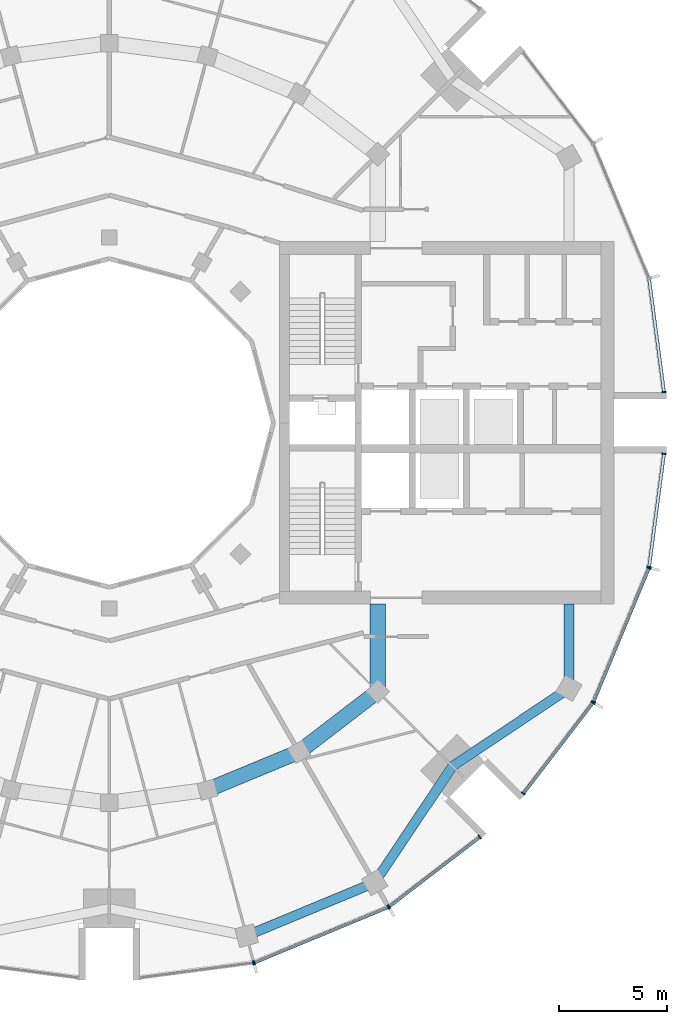
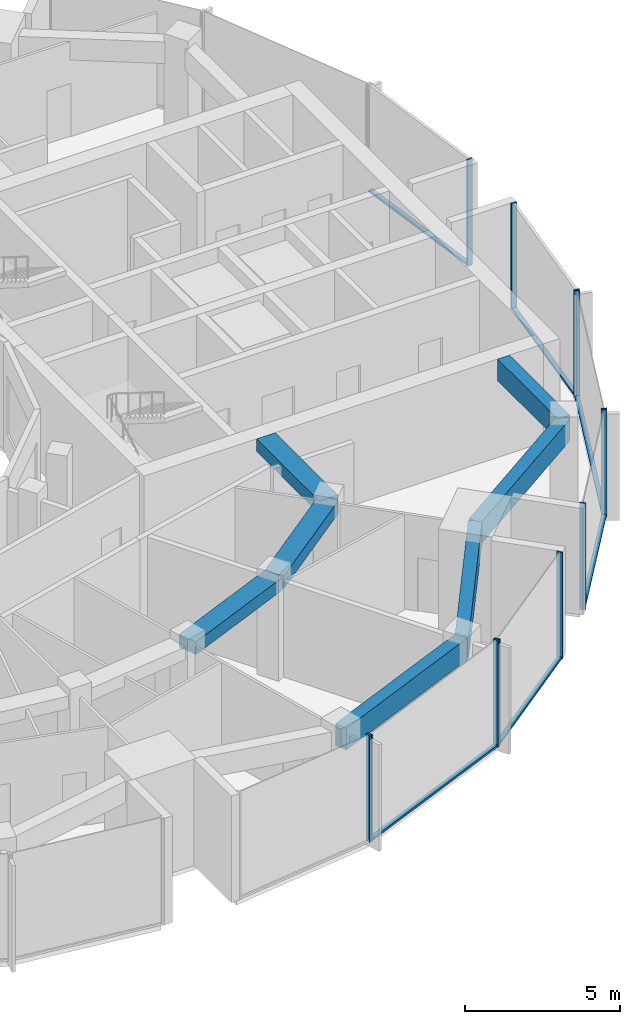
# One storey, part 4 of 15: 18 members, 7 beams, 7 elements without a shape of their own.
"""IFC4 building model written with IfcOpenShell, lengths in metres."""

from ifc_helpers import new_model, si_unit, direction, frame, origin, origin_2d, place, context, subcontext, project, spatial, rectangle, extrude, material, layer, layer_set, material_profile, profile_set, type_object, element, aggregate, save


model = new_model("IFC4")

# Units and contexts
model_context = context("Model", 3, precision=1e-05, world=origin(), true_north=direction((0.0, 1.0)))
body_context = subcontext(model_context, "Body", "Model", "MODEL_VIEW")
ifc_project = project(units=[si_unit("LENGTHUNIT", "METRE"), si_unit("AREAUNIT", "SQUARE_METRE"), si_unit("VOLUMEUNIT", "CUBIC_METRE"), si_unit("PLANEANGLEUNIT", "RADIAN"), si_unit("MASSUNIT", "GRAM", prefix="KILO")], contexts=[model_context])

# Site, building, storey
site_placement = place(None, origin())
site = spatial("IfcSite", under=ifc_project, at=site_placement, CompositionType="ELEMENT")
building_placement = place(site_placement, origin())
building = spatial("IfcBuilding", under=site, at=building_placement, Name="Torre Brocal", CompositionType="ELEMENT")
storey_placement = place(building_placement, frame((0.0, 0.0, 212.5)))
storey = spatial("IfcBuildingStorey", under=building, at=storey_placement, Name="L49", CompositionType="ELEMENT", Elevation=212.5)

# Curtain wall, member
ifc_material_1 = material(Name="Aluminium and glass", Category="aluminium")
ifc_layer_1 = layer(ifc_material_1, 0.199951171875)
ifc_layer_set_1 = layer_set([ifc_layer_1], Name="Aluminium and glass")
curtain_wall_type_1 = type_object("IfcCurtainWallType", Name="CW-1 CURTAIN WALL 4200 HIGH", PredefinedType="NOTDEFINED", material=ifc_layer_set_1)
curtain_wall_1_placement = place(storey_placement, origin())
curtain_wall_1 = element("IfcCurtainWall", 1, at=curtain_wall_1_placement, inside=storey, type_object=curtain_wall_type_1, Name="CW-1 RUN 19", PredefinedType="NOTDEFINED")
ifc_material_2 = material(Name="Aluminium, dark anodised", Category="aluminium")
ifc_material_profile_1 = material_profile(ifc_material_2, rectangle(XDim=0.199951171875, YDim=0.06005859375, at=origin_2d()), Name="CW-1 MULLION 60X200")
ifc_profile_set_1 = profile_set([ifc_material_profile_1], Name="Aluminium, dark anodised")
member_type_1 = type_object("IfcMemberType", Name="CW-1 MULLION 60X200", PredefinedType="MULLION", material=ifc_profile_set_1)
member_1_placement = place(storey_placement, frame((86.67333984375, 49.9794921875, 0.0), z_axis=(0.0, 0.0, 1.0), x_axis=(-0.13052619222, 0.991444861374, 0.0)))
member_1 = element("IfcMember", 2, at=member_1_placement, type_object=member_type_1, Name="CW1-5 mullion 2", PredefinedType="MULLION", context=body_context, shape_type="SweptSolid", body=[
    extrude(rectangle(XDim=0.199951171875, YDim=0.06005859375, at=origin_2d()), origin(), (0.0, 0.0, 1.0), 4.199951171875),
])
aggregate(curtain_wall_1, [member_1])

# Curtain wall, members
curtain_wall_2_placement = place(storey_placement, origin())
curtain_wall_2 = element("IfcCurtainWall", 3, at=curtain_wall_2_placement, inside=storey, type_object=curtain_wall_type_1, Name="CW-1 RUN 20", PredefinedType="NOTDEFINED")
member_2_placement = place(storey_placement, frame((86.73095703125, 49.994873046875, 0.0), z_axis=(0.0, 0.0, 1.0), x_axis=(-0.382683432333, 0.923879532525, 0.0)))
member_2 = element("IfcMember", 4, at=member_2_placement, type_object=member_type_1, Name="CW1-5 mullion 1", PredefinedType="MULLION", context=body_context, shape_type="SweptSolid", body=[
    extrude(rectangle(XDim=0.199951171875, YDim=0.06005859375, at=origin_2d()), origin(), (0.0, 0.0, 1.0), 4.199951171875),
])
member_3_placement = place(storey_placement, frame((92.921875, 52.559326171875, 0.0), z_axis=(0.0, 0.0, 1.0), x_axis=(-0.382683432333, 0.923879532525, 0.0)))
member_3 = element("IfcMember", 5, at=member_3_placement, type_object=member_type_1, Name="CW1-5 mullion 2", PredefinedType="MULLION", context=body_context, shape_type="SweptSolid", body=[
    extrude(rectangle(XDim=0.199951171875, YDim=0.06005859375, at=origin_2d()), origin(), (0.0, 0.0, 1.0), 4.199951171875),
])

curtain_wall_3_placement = place(storey_placement, origin())
curtain_wall_3 = element("IfcCurtainWall", 6, at=curtain_wall_3_placement, inside=storey, type_object=curtain_wall_type_1, Name="CW-1 RUN 21", PredefinedType="NOTDEFINED")
member_4_placement = place(storey_placement, frame((92.973388671875, 52.5888671875, 0.0), z_axis=(0.0, 0.0, 1.0), x_axis=(-0.60876142905, 0.793353340259, 0.0)))
member_4 = element("IfcMember", 7, at=member_4_placement, type_object=member_type_1, Name="CW1-5 mullion 1", PredefinedType="MULLION", context=body_context, shape_type="SweptSolid", body=[
    extrude(rectangle(XDim=0.199951171875, YDim=0.06005859375, at=origin_2d()), origin(), (0.0, 0.0, 1.0), 4.199951171875),
])
member_5_placement = place(storey_placement, frame((97.16943359375, 55.80859375, 0.0), z_axis=(0.0, 0.0, 1.0), x_axis=(-0.60876142905, 0.793353340259, 0.0)))
member_5 = element("IfcMember", 8, at=member_5_placement, type_object=member_type_1, Name="CW1-5 mullion 2", PredefinedType="MULLION", context=body_context, shape_type="SweptSolid", body=[
    extrude(rectangle(XDim=0.199951171875, YDim=0.06005859375, at=origin_2d()), origin(), (0.0, 0.0, 1.0), 4.199951171875),
])

curtain_wall_4_placement = place(storey_placement, origin())
curtain_wall_4 = element("IfcCurtainWall", 9, at=curtain_wall_4_placement, inside=storey, type_object=curtain_wall_type_1, Name="CW-1 RUN 22", PredefinedType="NOTDEFINED")
member_6_placement = place(storey_placement, frame((99.19140625, 57.83056640625, 0.0), z_axis=(0.0, 0.0, 1.0), x_axis=(-0.793353340259, 0.60876142905, 0.0)))
member_6 = element("IfcMember", 10, at=member_6_placement, type_object=member_type_1, Name="CW1-5 mullion 1", PredefinedType="MULLION", context=body_context, shape_type="SweptSolid", body=[
    extrude(rectangle(XDim=0.199951171875, YDim=0.06005859375, at=origin_2d()), origin(), (0.0, 0.0, 1.0), 4.199951171875),
])
member_7_placement = place(storey_placement, frame((102.4111328125, 62.026611328125, 0.0), z_axis=(0.0, 0.0, 1.0), x_axis=(-0.793353340259, 0.60876142905, 0.0)))
member_7 = element("IfcMember", 11, at=member_7_placement, type_object=member_type_1, Name="CW1-5 mullion 2", PredefinedType="MULLION", context=body_context, shape_type="SweptSolid", body=[
    extrude(rectangle(XDim=0.199951171875, YDim=0.06005859375, at=origin_2d()), origin(), (0.0, 0.0, 1.0), 4.199951171875),
])

curtain_wall_5_placement = place(storey_placement, origin())
curtain_wall_5 = element("IfcCurtainWall", 12, at=curtain_wall_5_placement, inside=storey, type_object=curtain_wall_type_1, Name="CW-1 RUN 23", PredefinedType="NOTDEFINED")
member_8_placement = place(storey_placement, frame((102.440673828125, 62.078125, 0.0), z_axis=(0.0, 0.0, 1.0), x_axis=(-0.923879532525, 0.382683432333, 0.0)))
member_8 = element("IfcMember", 13, at=member_8_placement, type_object=member_type_1, Name="CW1-5 mullion 1", PredefinedType="MULLION", context=body_context, shape_type="SweptSolid", body=[
    extrude(rectangle(XDim=0.199951171875, YDim=0.06005859375, at=origin_2d()), origin(), (0.0, 0.0, 1.0), 4.199951171875),
])
member_9_placement = place(storey_placement, frame((105.005126953125, 68.26904296875, 0.0), z_axis=(0.0, 0.0, 1.0), x_axis=(-0.923879532525, 0.382683432333, 0.0)))
member_9 = element("IfcMember", 14, at=member_9_placement, type_object=member_type_1, Name="CW1-5 mullion 2", PredefinedType="MULLION", context=body_context, shape_type="SweptSolid", body=[
    extrude(rectangle(XDim=0.199951171875, YDim=0.06005859375, at=origin_2d()), origin(), (0.0, 0.0, 1.0), 4.199951171875),
])

# Member
ifc_material_3 = material(Name="Aluminium, dark anodised", Category="aluminium")
ifc_material_profile_2 = material_profile(ifc_material_3, rectangle(XDim=0.159912109375, YDim=0.080078125, at=origin_2d()), Name="CW-1 TRANSOM 160X80")
ifc_profile_set_2 = profile_set([ifc_material_profile_2], Name="Aluminium, dark anodised")
member_type_2 = type_object("IfcMemberType", Name="CW-1 TRANSOM 160X80", PredefinedType="USERDEFINED", material=ifc_profile_set_2)
member_10_placement = place(storey_placement, frame((86.758544921875, 50.00634765625, 0.0400390625), z_axis=(0.923887344364, 0.38266457234, 0.0), x_axis=(-0.38266457234, 0.923887344364, 0.0)))
member_10 = element("IfcMember", 15, at=member_10_placement, type_object=member_type_2, Name="CW1-5 transom 1.1", ObjectType="TRANSOM", PredefinedType="USERDEFINED", context=body_context, shape_type="SweptSolid", body=[
    extrude(rectangle(XDim=0.159912109375, YDim=0.080078125, at=origin_2d()), origin(), (0.0, 0.0, 1.0), 6.640869140625),
])

aggregate(curtain_wall_2, [member_2, member_3, member_10])

member_11_placement = place(storey_placement, frame((92.9970703125, 52.607177734375, 0.0400390625), z_axis=(0.79336281513, 0.60874908096, 0.0), x_axis=(-0.60874908096, 0.79336281513, 0.0)))
member_11 = element("IfcMember", 16, at=member_11_placement, type_object=member_type_2, Name="CW1-5 transom 1.1", ObjectType="TRANSOM", PredefinedType="USERDEFINED", context=body_context, shape_type="SweptSolid", body=[
    extrude(rectangle(XDim=0.159912109375, YDim=0.080078125, at=origin_2d()), origin(), (0.0, 0.0, 1.0), 5.22900390625),
])

aggregate(curtain_wall_3, [member_4, member_5, member_11])

member_12_placement = place(storey_placement, frame((99.209716796875, 57.8544921875, 0.0400390625), z_axis=(0.60874908096, 0.79336281513, 0.0), x_axis=(-0.79336281513, 0.60874908096, 0.0)))
member_12 = element("IfcMember", 17, at=member_12_placement, type_object=member_type_2, Name="CW1-5 transom 1.1", ObjectType="TRANSOM", PredefinedType="USERDEFINED", context=body_context, shape_type="SweptSolid", body=[
    extrude(rectangle(XDim=0.159912109375, YDim=0.080078125, at=origin_2d()), origin(), (0.0, 0.0, 1.0), 5.22900390625),
])

aggregate(curtain_wall_4, [member_6, member_7, member_12])

member_13_placement = place(storey_placement, frame((102.452392578125, 62.10595703125, 0.0400390625), z_axis=(0.38266457234, 0.923887344364, 0.0), x_axis=(-0.923887344364, 0.38266457234, 0.0)))
member_13 = element("IfcMember", 18, at=member_13_placement, type_object=member_type_2, Name="CW1-5 transom 1.1", ObjectType="TRANSOM", PredefinedType="USERDEFINED", context=body_context, shape_type="SweptSolid", body=[
    extrude(rectangle(XDim=0.159912109375, YDim=0.080078125, at=origin_2d()), origin(), (0.0, 0.0, 1.0), 6.640869140625),
])

aggregate(curtain_wall_5, [member_8, member_9, member_13])

# Curtain wall, member
ifc_material_4 = material(Name="Aluminium and glass", Category="aluminium")
ifc_layer_2 = layer(ifc_material_4, 0.199951171875)
ifc_layer_set_2 = layer_set([ifc_layer_2], Name="Aluminium and glass")
curtain_wall_type_2 = type_object("IfcCurtainWallType", Name="CW-1B CURTAIN WALL 4200 HIGH", PredefinedType="NOTDEFINED", material=ifc_layer_set_2)
curtain_wall_6_placement = place(storey_placement, origin())
curtain_wall_6 = element("IfcCurtainWall", 19, at=curtain_wall_6_placement, inside=storey, type_object=curtain_wall_type_2, Name="CW-1B RUN 1", PredefinedType="NOTDEFINED")
ifc_material_5 = material(Name="Aluminium, dark anodised", Category="aluminium")
ifc_material_profile_3 = material_profile(ifc_material_5, rectangle(XDim=0.199951171875, YDim=0.06005859375, at=origin_2d()), Name="CW-1B MULLION 60X200")
ifc_profile_set_3 = profile_set([ifc_material_profile_3], Name="Aluminium, dark anodised")
member_type_3 = type_object("IfcMemberType", Name="CW-1B MULLION 60X200", PredefinedType="MULLION", material=ifc_profile_set_3)
member_14_placement = place(storey_placement, frame((105.7109375, 76.4296875, 0.0), z_axis=(0.0, 0.0, 1.0), x_axis=(-0.991444861374, -0.13052619222, 0.0)))
member_14 = element("IfcMember", 20, at=member_14_placement, type_object=member_type_3, Name="CW1B-5 mullion 1", PredefinedType="MULLION", context=body_context, shape_type="SweptSolid", body=[
    extrude(rectangle(XDim=0.199951171875, YDim=0.06005859375, at=origin_2d()), origin(), (0.0, 0.0, 1.0), 4.199951171875),
])

# Curtain wall, members
curtain_wall_7_placement = place(storey_placement, origin())
curtain_wall_7 = element("IfcCurtainWall", 21, at=curtain_wall_7_placement, inside=storey, type_object=curtain_wall_type_2, Name="CW-1B RUN 24", PredefinedType="NOTDEFINED")
member_15_placement = place(storey_placement, frame((105.0205078125, 68.32666015625, 0.0), z_axis=(0.0, 0.0, 1.0), x_axis=(-0.991444861374, 0.13052619222, 0.0)))
member_15 = element("IfcMember", 22, at=member_15_placement, type_object=member_type_3, Name="CW1B-5 mullion 1", PredefinedType="MULLION", context=body_context, shape_type="SweptSolid", body=[
    extrude(rectangle(XDim=0.199951171875, YDim=0.06005859375, at=origin_2d()), origin(), (0.0, 0.0, 1.0), 4.199951171875),
])
member_16_placement = place(storey_placement, frame((105.7109375, 73.5703125, 0.0), z_axis=(0.0, 0.0, 1.0), x_axis=(-0.991444861374, 0.13052619222, 0.0)))
member_16 = element("IfcMember", 23, at=member_16_placement, type_object=member_type_3, Name="CW1B-5 mullion 2", PredefinedType="MULLION", context=body_context, shape_type="SweptSolid", body=[
    extrude(rectangle(XDim=0.199951171875, YDim=0.06005859375, at=origin_2d()), origin(), (0.0, 0.0, 1.0), 4.199951171875),
])

# Member
ifc_material_6 = material(Name="Aluminium, dark anodised", Category="aluminium")
ifc_material_profile_4 = material_profile(ifc_material_6, rectangle(XDim=0.159912109375, YDim=0.080078125, at=origin_2d()), Name="CW-1B TRANSOM 160X80")
ifc_profile_set_4 = profile_set([ifc_material_profile_4], Name="Aluminium, dark anodised")
member_type_4 = type_object("IfcMemberType", Name="CW-1B TRANSOM 160X80", PredefinedType="USERDEFINED", material=ifc_profile_set_4)
member_17_placement = place(storey_placement, frame((105.70703125, 76.45947265625, 0.0400390625), z_axis=(-0.130542677827, 0.991442690863, 0.0), x_axis=(-0.991442690863, -0.130542677827, 0.0)))
member_17 = element("IfcMember", 24, at=member_17_placement, type_object=member_type_4, Name="CW1B-5 transom 1.1", ObjectType="TRANSOM", PredefinedType="USERDEFINED", context=body_context, shape_type="SweptSolid", body=[
    extrude(rectangle(XDim=0.159912109375, YDim=0.080078125, at=origin_2d()), origin(), (0.0, 0.0, 1.0), 5.22900390625),
])

aggregate(curtain_wall_6, [member_14, member_17])

member_18_placement = place(storey_placement, frame((105.0244140625, 68.356201171875, 0.0400390625), z_axis=(0.130542677827, 0.991442690863, 0.0), x_axis=(-0.991442690863, 0.130542677827, 0.0)))
member_18 = element("IfcMember", 25, at=member_18_placement, type_object=member_type_4, Name="CW1B-5 transom 1.1", ObjectType="TRANSOM", PredefinedType="USERDEFINED", context=body_context, shape_type="SweptSolid", body=[
    extrude(rectangle(XDim=0.159912109375, YDim=0.080078125, at=origin_2d()), origin(), (0.0, 0.0, 1.0), 5.22900390625),
])

aggregate(curtain_wall_7, [member_15, member_16, member_18])

# Beams
ifc_material_7 = material(Name="Concrete C50", Category="concrete")
ifc_material_profile_5 = material_profile(ifc_material_7, rectangle(XDim=0.699951171875, YDim=0.5, at=origin_2d()), Name="RC 700X500")
ifc_profile_set_5 = profile_set([ifc_material_profile_5], Name="Concrete C50")
beam_type_1 = type_object("IfcBeamType", Name="RC BEAM 700X500 C50 TOP 3880", PredefinedType="BEAM", material=ifc_profile_set_5)
beam_1_placement = place(storey_placement, frame((84.55517578125, 57.999755859375, 3.6298828125), z_axis=(0.923878240166, 0.382686552348, 0.0), x_axis=(-0.382686552348, 0.923878240166, 0.0)))
element("IfcBeam", 26, at=beam_1_placement, inside=storey, type_object=beam_type_1, Name="Beam BT-37", PredefinedType="BEAM", context=body_context, shape_type="SweptSolid", body=[
    extrude(rectangle(XDim=0.699951171875, YDim=0.5, at=origin_2d()), origin(), (0.0, 0.0, 1.0), 4.5947265625),
])
beam_2_placement = place(storey_placement, frame((88.800048828125, 59.758056640625, 3.6298828125), z_axis=(0.793358265959, 0.6087550097, 0.0), x_axis=(-0.6087550097, 0.793358265959, 0.0)))
element("IfcBeam", 27, at=beam_2_placement, inside=storey, type_object=beam_type_1, Name="Beam BT-37", PredefinedType="BEAM", context=body_context, shape_type="SweptSolid", body=[
    extrude(rectangle(XDim=0.699951171875, YDim=0.5, at=origin_2d()), origin(), (0.0, 0.0, 1.0), 4.594482421875),
])
beam_3_placement = place(storey_placement, frame((92.445068359375, 62.554931640625, 3.6298828125), z_axis=(0.0, 1.0, 0.0), x_axis=(-1.0, 0.0, 0.0)))
element("IfcBeam", 28, at=beam_3_placement, inside=storey, type_object=beam_type_1, Name="Beam BT-37", PredefinedType="BEAM", context=body_context, shape_type="SweptSolid", body=[
    extrude(rectangle(XDim=0.699951171875, YDim=0.5, at=origin_2d()), origin(), (0.0, 0.0, 1.0), 4.045166015625),
])
ifc_material_8 = material(Name="Concrete C50", Category="concrete")
ifc_material_profile_6 = material_profile(ifc_material_8, rectangle(XDim=0.449951171875, YDim=0.85009765625, at=origin_2d()), Name="RC 450X850")
ifc_profile_set_6 = profile_set([ifc_material_profile_6], Name="Concrete C50")
beam_type_2 = type_object("IfcBeamType", Name="RC SPANDREL BEAM 450X850 C50 TOP 3880", PredefinedType="SPANDREL", material=ifc_profile_set_6)
beam_4_placement = place(storey_placement, frame((86.366943359375, 51.23828125, 3.455078125), z_axis=(0.923882462513, 0.382676358639, 0.0), x_axis=(-0.382676358639, 0.923882462513, 0.0)))
element("IfcBeam", 29, at=beam_4_placement, inside=storey, type_object=beam_type_2, Name="Beam BT-38", PredefinedType="SPANDREL", context=body_context, shape_type="SweptSolid", body=[
    extrude(rectangle(XDim=0.449951171875, YDim=0.85009765625, at=origin_2d()), origin(), (0.0, 0.0, 1.0), 6.421875),
])
for number, where, z_axis, x_axis, name in (
    (30, (92.300048828125, 53.69580078125, 3.455078125), (0.556157602282, 0.831076844476, 0.0), (-0.831076844476, 0.556157602282, 0.0), "Beam BT-38"),
    (31, (95.909912109375, 59.090087890625, 3.455078125), (0.831076844476, 0.556157602282, 0.0), (-0.556157602282, 0.831076844476, 0.0), "Beam BT-38"),
):
    element("IfcBeam", number, at=place(storey_placement, frame(where, z_axis=z_axis, x_axis=x_axis)), inside=storey, type_object=beam_type_2, Name=name, PredefinedType="SPANDREL", context=body_context, shape_type="SweptSolid", body=[
        extrude(rectangle(XDim=0.449951171875, YDim=0.85009765625, at=origin_2d()), origin(), (0.0, 0.0, 1.0), 6.49072265625),
    ])
beam_5_placement = place(storey_placement, frame((101.30419921875, 62.699951171875, 3.455078125), z_axis=(0.0, 1.0, 0.0), x_axis=(-1.0, 0.0, 0.0)))
element("IfcBeam", 32, at=beam_5_placement, inside=storey, type_object=beam_type_2, Name="Beam BT-38", PredefinedType="SPANDREL", context=body_context, shape_type="SweptSolid", body=[
    extrude(rectangle(XDim=0.449951171875, YDim=0.85009765625, at=origin_2d()), origin(), (0.0, 0.0, 1.0), 3.900146484375),
])

save(model, "model.ifc")
